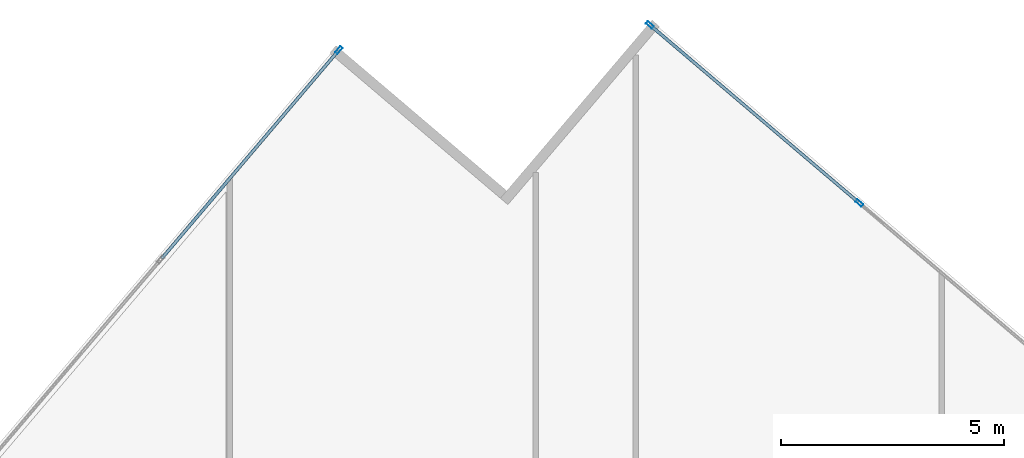
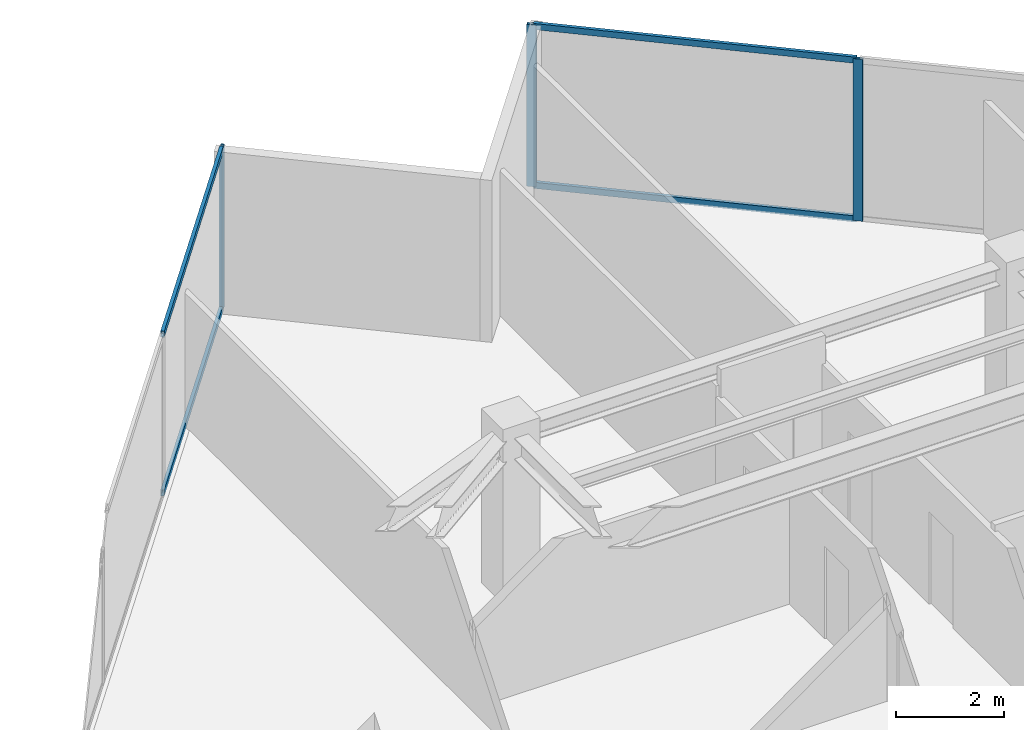
# One storey, part 18 of 26: 7 members, 2 elements without a shape of their own.
"""IFC4 building model written with IfcOpenShell, lengths in metres."""

from ifc_helpers import new_model, si_unit, direction, frame, origin, origin_2d, place, context, subcontext, project, spatial, hollow_rectangle, extrude, source, transform, mapped, material, material_profile, profile_set, type_object, type_shapes, element, aggregate, save


model = new_model("IFC4")

# Units and contexts
model_context = context("Model", 3, precision=1e-05, world=origin(), true_north=direction((0.0, 1.0)))
body_context = subcontext(model_context, "Body", "Model", "MODEL_VIEW")
ifc_project = project(units=[si_unit("LENGTHUNIT", "METRE"), si_unit("AREAUNIT", "SQUARE_METRE"), si_unit("VOLUMEUNIT", "CUBIC_METRE"), si_unit("PLANEANGLEUNIT", "RADIAN"), si_unit("MASSUNIT", "GRAM", prefix="KILO")], contexts=[model_context])

# Site, building, storey
site_placement = place(None, origin())
site = spatial("IfcSite", under=ifc_project, at=site_placement, CompositionType="ELEMENT")
building_placement = place(site_placement, origin())
building = spatial("IfcBuilding", under=site, at=building_placement, Name="Krantzveldt Concourse Tower", CompositionType="ELEMENT")
storey_placement = place(building_placement, frame((0.0, 0.0, 207.300048828125)))
storey = spatial("IfcBuildingStorey", under=building, at=storey_placement, Name="L50", CompositionType="ELEMENT", Elevation=207.300048828125)

# Curtain wall, member
ifc_material = material(Name="Anodised aluminium 6063-T6", Category="aluminium")
curtain_wall_type = type_object("IfcCurtainWallType", Name="CW3", PredefinedType="USERDEFINED", material=ifc_material)
curtain_wall_1_placement = place(storey_placement, origin())
curtain_wall_1 = element("IfcCurtainWall", 1, at=curtain_wall_1_placement, inside=storey, type_object=curtain_wall_type, Name="CW-L50-F01", ObjectType="UNITISED CURTAIN WALL", PredefinedType="USERDEFINED")
ifc_material_profile_1 = material_profile(ifc_material, hollow_rectangle(XDim=0.070068359375, YDim=0.179931640625, WallThickness=0.0048828125, at=origin_2d()), Name="Anodised aluminium 6063-T6", Category="aluminium")
ifc_profile_set_1 = profile_set([ifc_material_profile_1], Name="Anodised aluminium 6063-T6 - ALU-MULL 180x70x5")
member_type_1 = type_object("IfcMemberType", Name="CW-MUL-180", PredefinedType="MULLION", material=ifc_profile_set_1)
shared_shape_1 = source(origin(), body_context, "Body", "SweptSolid", [
    extrude(hollow_rectangle(XDim=0.070068359375, YDim=0.179931640625, WallThickness=0.0048828125, at=origin_2d()), origin(), (0.0, 0.0, 1.0), 3.669921875),
])
type_shapes(member_type_1, [shared_shape_1])
member_1_placement = place(storey_placement, frame((30.46923828125, 51.702880859375, 0.0), z_axis=(0.0, 0.0, 1.0), x_axis=(0.761820912327, -0.647787694805, 0.0)))
member_1 = element("IfcMember", 2, at=member_1_placement, type_object=member_type_1, Name="CW-Z34 mullion 1", PredefinedType="MULLION", context=body_context, shape_type="MappedRepresentation", body=[
    mapped(shared_shape_1, transform((0.0, 0.0, 0.0), x_axis=(1.0, 0.0, 0.0), y_axis=(0.0, 1.0, 0.0), z_axis=(0.0, 0.0, 1.0), scale=1.0)),
])

# Curtain wall, members
curtain_wall_2_placement = place(storey_placement, origin())
curtain_wall_2 = element("IfcCurtainWall", 3, at=curtain_wall_2_placement, inside=storey, type_object=curtain_wall_type, Name="CW-L50-F10", ObjectType="UNITISED CURTAIN WALL", PredefinedType="USERDEFINED")
member_2_placement = place(storey_placement, frame((42.136474609375, 48.273193359375, 0.0), z_axis=(0.0, 0.0, 1.0), x_axis=(-0.647787694805, -0.761820912327, 0.0)))
member_2 = element("IfcMember", 4, at=member_2_placement, type_object=member_type_1, Name="CW-Z34 mullion 5", PredefinedType="MULLION", context=body_context, shape_type="MappedRepresentation", body=[
    mapped(shared_shape_1, transform((0.0, 0.0, 0.0), x_axis=(1.0, 0.0, 0.0), y_axis=(0.0, 1.0, 0.0), z_axis=(0.0, 0.0, 1.0), scale=1.0)),
])
member_3_placement = place(storey_placement, frame((37.439697265625, 52.266845703125, 0.0), z_axis=(0.0, 0.0, 1.0), x_axis=(-0.647787694805, -0.761820912327, 0.0)))
member_3 = element("IfcMember", 5, at=member_3_placement, type_object=member_type_1, Name="CW-Z34 mullion 6", PredefinedType="MULLION", context=body_context, shape_type="MappedRepresentation", body=[
    mapped(shared_shape_1, transform((0.0, 0.0, 0.0), x_axis=(1.0, 0.0, 0.0), y_axis=(0.0, 1.0, 0.0), z_axis=(0.0, 0.0, 1.0), scale=1.0)),
])

# Member
ifc_material_profile_2 = material_profile(ifc_material, hollow_rectangle(XDim=0.070068359375, YDim=0.139892578125, WallThickness=0.0048828125, at=origin_2d()), Name="Anodised aluminium 6063-T6", Category="aluminium")
ifc_profile_set_2 = profile_set([ifc_material_profile_2], Name="Anodised aluminium 6063-T6 - ALU-TRAN 140x70x5")
member_type_2 = type_object("IfcMemberType", Name="CW-TRN-150", PredefinedType="USERDEFINED", material=ifc_profile_set_2)
shared_shape_2 = source(origin(), body_context, "Body", "SweptSolid", [
    extrude(hollow_rectangle(XDim=0.070068359375, YDim=0.139892578125, WallThickness=0.0048828125, at=origin_2d()), origin(), (0.0, 0.0, 1.0), 6.094970703125),
])
type_shapes(member_type_2, [shared_shape_2])
member_4_placement = place(storey_placement, frame((30.446533203125, 51.67626953125, 0.034912109375), z_axis=(-0.64778444877, -0.761823672468, 0.0), x_axis=(0.761823672468, -0.64778444877, 0.0)))
member_4 = element("IfcMember", 6, at=member_4_placement, type_object=member_type_2, Name="CW-Z34 transom 1.1", ObjectType="TRANSOM", PredefinedType="USERDEFINED", context=body_context, shape_type="MappedRepresentation", body=[
    mapped(shared_shape_2, transform((0.0, 0.0, 0.0), x_axis=(1.0, 0.0, 0.0), y_axis=(0.0, 1.0, 0.0), z_axis=(0.0, 0.0, 1.0), scale=1.0)),
])

member_5_placement = place(storey_placement, frame((30.446533203125, 51.67626953125, 3.635009765625), z_axis=(-0.64778444877, -0.761823672468, 0.0), x_axis=(0.761823672468, -0.64778444877, 0.0)))
member_5 = element("IfcMember", 7, at=member_5_placement, type_object=member_type_2, Name="CW-Z34 transom 1.2", ObjectType="TRANSOM", PredefinedType="USERDEFINED", context=body_context, shape_type="MappedRepresentation", body=[
    mapped(shared_shape_2, transform((0.0, 0.0, 0.0), x_axis=(1.0, 0.0, 0.0), y_axis=(0.0, 1.0, 0.0), z_axis=(0.0, 0.0, 1.0), scale=1.0)),
])

aggregate(curtain_wall_1, [member_1, member_4, member_5])

member_6_placement = place(storey_placement, frame((42.10986328125, 48.2958984375, 0.034912109375), z_axis=(-0.761823672468, 0.64778444877, 0.0), x_axis=(-0.64778444877, -0.761823672468, 0.0)))
member_6 = element("IfcMember", 8, at=member_6_placement, type_object=member_type_2, Name="CW-Z34 transom 5.1", ObjectType="TRANSOM", PredefinedType="USERDEFINED", context=body_context, shape_type="MappedRepresentation", body=[
    mapped(shared_shape_2, transform((0.0, 0.0, 0.0), x_axis=(1.0, 0.0, 0.0), y_axis=(0.0, 1.0, 0.0), z_axis=(0.0, 0.0, 1.0), scale=1.0)),
])

member_7_placement = place(storey_placement, frame((42.10986328125, 48.2958984375, 3.635009765625), z_axis=(-0.761823672468, 0.64778444877, 0.0), x_axis=(-0.64778444877, -0.761823672468, 0.0)))
member_7 = element("IfcMember", 9, at=member_7_placement, type_object=member_type_2, Name="CW-Z34 transom 5.2", ObjectType="TRANSOM", PredefinedType="USERDEFINED", context=body_context, shape_type="MappedRepresentation", body=[
    mapped(shared_shape_2, transform((0.0, 0.0, 0.0), x_axis=(1.0, 0.0, 0.0), y_axis=(0.0, 1.0, 0.0), z_axis=(0.0, 0.0, 1.0), scale=1.0)),
])

aggregate(curtain_wall_2, [member_2, member_3, member_6, member_7])

save(model, "model.ifc")
